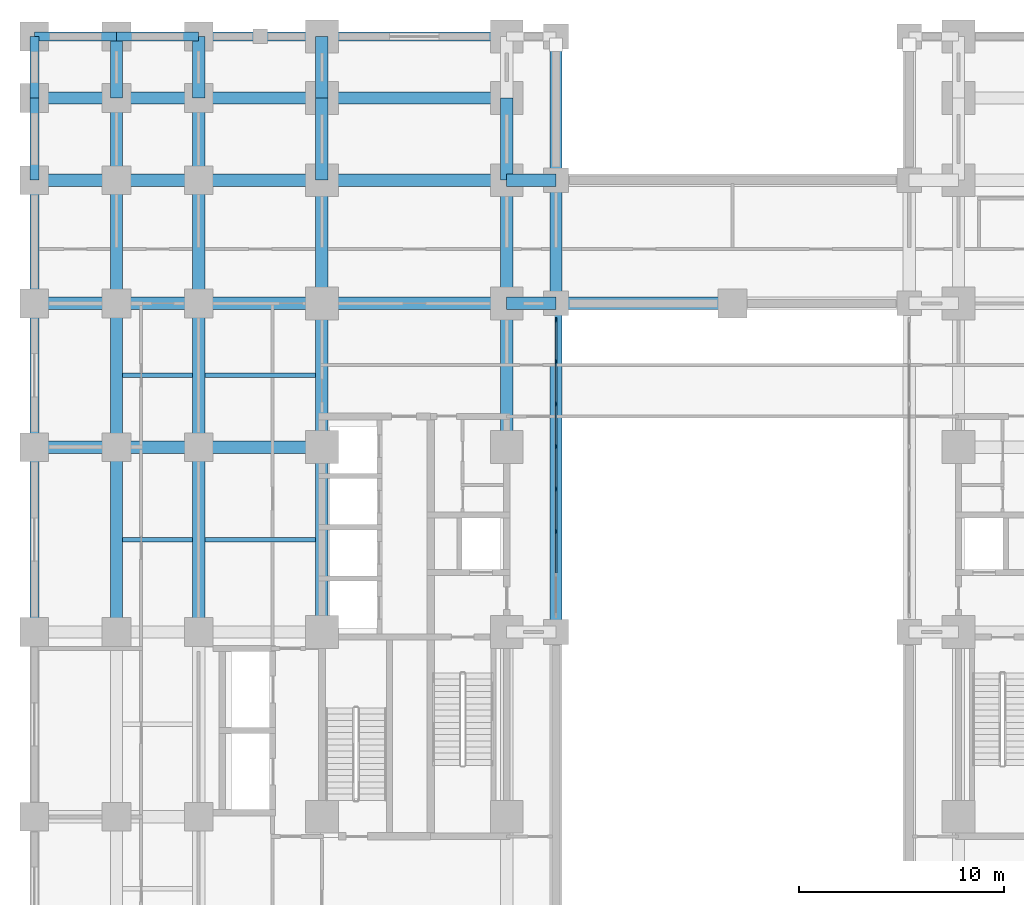
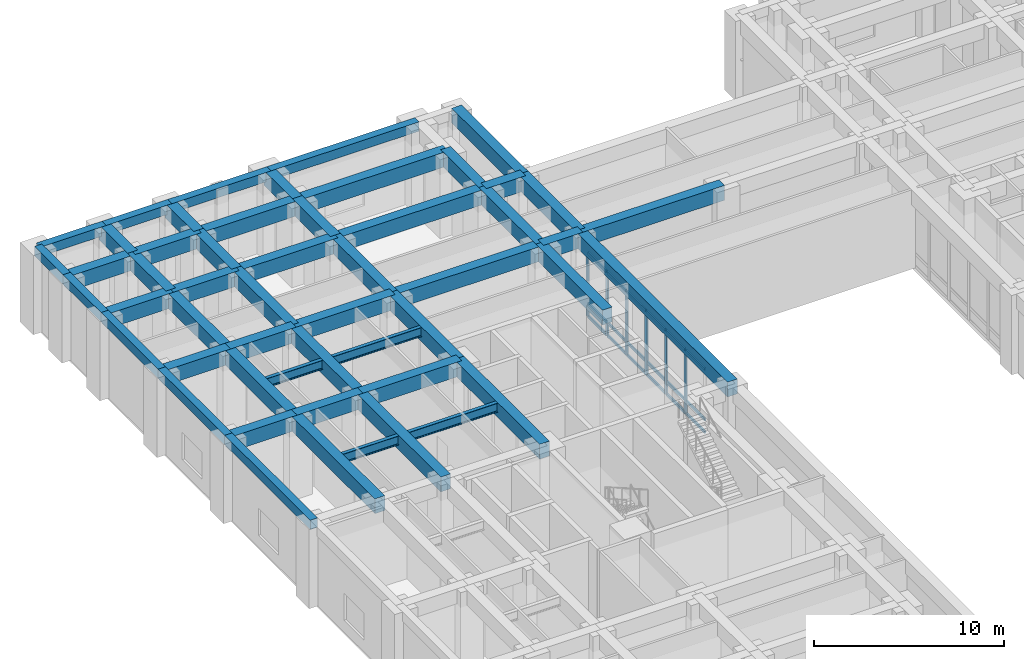
# One storey, part 4 of 21: 52 beams, 24 members, 1 element without a shape of its own.
"""IFC4 building model written with IfcOpenShell, lengths in metres."""

from ifc_helpers import new_model, si_unit, direction, frame, origin, origin_2d, place, context, subcontext, project, spatial, rectangle, i_section, extrude, material, material_profile, profile_set, type_object, element, aggregate, save


model = new_model("IFC4")

# Units and contexts
model_context = context("Model", 3, precision=1e-05, world=origin(), true_north=direction((0.0, 1.0)))
body_context = subcontext(model_context, "Body", "Model", "MODEL_VIEW")
ifc_project = project(units=[si_unit("LENGTHUNIT", "METRE"), si_unit("AREAUNIT", "SQUARE_METRE"), si_unit("VOLUMEUNIT", "CUBIC_METRE"), si_unit("PLANEANGLEUNIT", "RADIAN"), si_unit("MASSUNIT", "GRAM", prefix="KILO")], contexts=[model_context])

# Site, building, storey
site_placement = place(None, origin())
site = spatial("IfcSite", under=ifc_project, at=site_placement, CompositionType="ELEMENT")
building_placement = place(site_placement, origin())
building = spatial("IfcBuilding", under=site, at=building_placement, Name="Zulmaris Gate Convention Tower", CompositionType="ELEMENT")
storey_placement = place(building_placement, frame((0.0, 0.0, 5.43994140625)))
storey = spatial("IfcBuildingStorey", under=building, at=storey_placement, Name="L01", CompositionType="ELEMENT", Elevation=5.43994140625)

# Beams
ifc_material_1 = material(Name="Concrete C60/75", Category="concrete")
ifc_material_profile_1 = material_profile(ifc_material_1, rectangle(XDim=0.60009765625, YDim=0.949951171875, at=origin_2d()), Name="RC BEAM 600x950")
ifc_profile_set_1 = profile_set([ifc_material_profile_1], Name="Concrete C60/75")
beam_type_1 = type_object("IfcBeamType", Name="BM-RC600x950", PredefinedType="BEAM", material=ifc_profile_set_1)
for number, where, z_axis, x_axis, name in (
    (1, (-34.0, 9.0, 4.614990234375), (1.0, 0.0, 0.0), (0.0, 1.0, 0.0), "L01 Beam BM-L01-X-+9.0--34.0"),
    (2, (-30.0, 9.0, 4.614990234375), (1.0, 0.0, 0.0), (0.0, 1.0, 0.0), "L01 Beam BM-L01-X-+9.0--30.0"),
):
    element("IfcBeam", number, at=place(storey_placement, frame(where, z_axis=z_axis, x_axis=x_axis)), inside=storey, type_object=beam_type_1, Name=name, PredefinedType="BEAM", context=body_context, shape_type="SweptSolid", body=[
        extrude(rectangle(XDim=0.60009765625, YDim=0.949951171875, at=origin_2d()), origin(), (0.0, 0.0, 1.0), 4.0),
    ])
beam_1_placement = place(storey_placement, frame((-26.0, 9.0, 4.614990234375), z_axis=(1.0, 0.0, 0.0), x_axis=(0.0, 1.0, 0.0)))
element("IfcBeam", 3, at=beam_1_placement, inside=storey, type_object=beam_type_1, Name="L01 Beam BM-L01-X-+9.0--26.0", PredefinedType="BEAM", context=body_context, shape_type="SweptSolid", body=[
    extrude(rectangle(XDim=0.60009765625, YDim=0.949951171875, at=origin_2d()), origin(), (0.0, 0.0, 1.0), 6.0),
])
for number, where, z_axis, x_axis, name in (
    (4, (-34.0, 16.0, 4.614990234375), (1.0, 0.0, 0.0), (0.0, 1.0, 0.0), "L01 Beam BM-L01-X-+16.0--34.0"),
    (5, (-30.0, 16.0, 4.614990234375), (1.0, 0.0, 0.0), (0.0, 1.0, 0.0), "L01 Beam BM-L01-X-+16.0--30.0"),
):
    element("IfcBeam", number, at=place(storey_placement, frame(where, z_axis=z_axis, x_axis=x_axis)), inside=storey, type_object=beam_type_1, Name=name, PredefinedType="BEAM", context=body_context, shape_type="SweptSolid", body=[
        extrude(rectangle(XDim=0.60009765625, YDim=0.949951171875, at=origin_2d()), origin(), (0.0, 0.0, 1.0), 4.0),
    ])
beam_2_placement = place(storey_placement, frame((-26.0, 16.0, 4.614990234375), z_axis=(1.0, 0.0, 0.0), x_axis=(0.0, 1.0, 0.0)))
element("IfcBeam", 6, at=beam_2_placement, inside=storey, type_object=beam_type_1, Name="L01 Beam BM-L01-X-+16.0--26.0", PredefinedType="BEAM", context=body_context, shape_type="SweptSolid", body=[
    extrude(rectangle(XDim=0.60009765625, YDim=0.949951171875, at=origin_2d()), origin(), (0.0, 0.0, 1.0), 6.0),
])
beam_3_placement = place(storey_placement, frame((-20.0, 16.0, 4.614990234375), z_axis=(1.0, 0.0, 0.0), x_axis=(0.0, 1.0, 0.0)))
element("IfcBeam", 7, at=beam_3_placement, inside=storey, type_object=beam_type_1, Name="L01 Beam BM-L01-X-+16.0--20.0", PredefinedType="BEAM", context=body_context, shape_type="SweptSolid", body=[
    extrude(rectangle(XDim=0.60009765625, YDim=0.949951171875, at=origin_2d()), origin(), (0.0, 0.0, 1.0), 9.0),
])
beam_4_placement = place(storey_placement, frame((-11.0, 16.0, 4.614990234375), z_axis=(1.0, 0.0, 0.0), x_axis=(0.0, 1.0, 0.0)))
element("IfcBeam", 8, at=beam_4_placement, inside=storey, type_object=beam_type_1, Name="L01 Beam BM-L01-X-+16.0--11.0", PredefinedType="BEAM", context=body_context, shape_type="SweptSolid", body=[
    extrude(rectangle(XDim=0.60009765625, YDim=0.949951171875, at=origin_2d()), origin(), (0.0, 0.0, 1.0), 2.39990234375),
])
beam_5_placement = place(storey_placement, frame((-8.60009765625, 16.0, 4.614990234375), z_axis=(1.0, 0.0, 0.0), x_axis=(0.0, 1.0, 0.0)))
element("IfcBeam", 9, at=beam_5_placement, inside=storey, type_object=beam_type_1, Name="L01 Beam BM-L01-X-+16.0--8.6", PredefinedType="BEAM", context=body_context, shape_type="SweptSolid", body=[
    extrude(rectangle(XDim=0.60009765625, YDim=0.949951171875, at=origin_2d()), origin(), (0.0, 0.0, 1.0), 8.60009765625),
])
for number, where, z_axis, x_axis, name in (
    (10, (-34.0, 22.0, 4.614990234375), (1.0, 0.0, 0.0), (0.0, 1.0, 0.0), "L01 Beam BM-L01-X-+22.0--34.0"),
    (11, (-30.0, 22.0, 4.614990234375), (1.0, 0.0, 0.0), (0.0, 1.0, 0.0), "L01 Beam BM-L01-X-+22.0--30.0"),
):
    element("IfcBeam", number, at=place(storey_placement, frame(where, z_axis=z_axis, x_axis=x_axis)), inside=storey, type_object=beam_type_1, Name=name, PredefinedType="BEAM", context=body_context, shape_type="SweptSolid", body=[
        extrude(rectangle(XDim=0.60009765625, YDim=0.949951171875, at=origin_2d()), origin(), (0.0, 0.0, 1.0), 4.0),
    ])
beam_6_placement = place(storey_placement, frame((-26.0, 22.0, 4.614990234375), z_axis=(1.0, 0.0, 0.0), x_axis=(0.0, 1.0, 0.0)))
element("IfcBeam", 12, at=beam_6_placement, inside=storey, type_object=beam_type_1, Name="L01 Beam BM-L01-X-+22.0--26.0", PredefinedType="BEAM", context=body_context, shape_type="SweptSolid", body=[
    extrude(rectangle(XDim=0.60009765625, YDim=0.949951171875, at=origin_2d()), origin(), (0.0, 0.0, 1.0), 6.0),
])
beam_7_placement = place(storey_placement, frame((-20.0, 22.0, 4.614990234375), z_axis=(1.0, 0.0, 0.0), x_axis=(0.0, 1.0, 0.0)))
element("IfcBeam", 13, at=beam_7_placement, inside=storey, type_object=beam_type_1, Name="L01 Beam BM-L01-X-+22.0--20.0", PredefinedType="BEAM", context=body_context, shape_type="SweptSolid", body=[
    extrude(rectangle(XDim=0.60009765625, YDim=0.949951171875, at=origin_2d()), origin(), (0.0, 0.0, 1.0), 9.0),
])
beam_8_placement = place(storey_placement, frame((-11.0, 22.0, 4.614990234375), z_axis=(1.0, 0.0, 0.0), x_axis=(0.0, 1.0, 0.0)))
element("IfcBeam", 14, at=beam_8_placement, inside=storey, type_object=beam_type_1, Name="L01 Beam BM-L01-X-+22.0--11.0", PredefinedType="BEAM", context=body_context, shape_type="SweptSolid", body=[
    extrude(rectangle(XDim=0.60009765625, YDim=0.949951171875, at=origin_2d()), origin(), (0.0, 0.0, 1.0), 2.39990234375),
])
for number, where, z_axis, x_axis, name in (
    (15, (-34.0, 26.0, 4.614990234375), (1.0, 0.0, 0.0), (0.0, 1.0, 0.0), "L01 Beam BM-L01-X-+26.0--34.0"),
    (16, (-30.0, 26.0, 4.614990234375), (1.0, 0.0, 0.0), (0.0, 1.0, 0.0), "L01 Beam BM-L01-X-+26.0--30.0"),
):
    element("IfcBeam", number, at=place(storey_placement, frame(where, z_axis=z_axis, x_axis=x_axis)), inside=storey, type_object=beam_type_1, Name=name, PredefinedType="BEAM", context=body_context, shape_type="SweptSolid", body=[
        extrude(rectangle(XDim=0.60009765625, YDim=0.949951171875, at=origin_2d()), origin(), (0.0, 0.0, 1.0), 4.0),
    ])
beam_9_placement = place(storey_placement, frame((-26.0, 26.0, 4.614990234375), z_axis=(1.0, 0.0, 0.0), x_axis=(0.0, 1.0, 0.0)))
element("IfcBeam", 17, at=beam_9_placement, inside=storey, type_object=beam_type_1, Name="L01 Beam BM-L01-X-+26.0--26.0", PredefinedType="BEAM", context=body_context, shape_type="SweptSolid", body=[
    extrude(rectangle(XDim=0.60009765625, YDim=0.949951171875, at=origin_2d()), origin(), (0.0, 0.0, 1.0), 6.0),
])
for number, where, z_axis, x_axis, name in (
    (18, (-20.0, 26.0, 4.614990234375), (1.0, 0.0, 0.0), (0.0, 1.0, 0.0), "L01 Beam BM-L01-X-+26.0--20.0"),
    (19, (-30.0, 0.0, 4.614990234375), (0.0, 1.0, 0.0), (-1.0, 0.0, 0.0), "L01 Beam BM-L01-Y--30.0-+0.0"),
):
    element("IfcBeam", number, at=place(storey_placement, frame(where, z_axis=z_axis, x_axis=x_axis)), inside=storey, type_object=beam_type_1, Name=name, PredefinedType="BEAM", context=body_context, shape_type="SweptSolid", body=[
        extrude(rectangle(XDim=0.60009765625, YDim=0.949951171875, at=origin_2d()), origin(), (0.0, 0.0, 1.0), 9.0),
    ])
beam_10_placement = place(storey_placement, frame((-30.0, 9.0, 4.614990234375), z_axis=(0.0, 1.0, 0.0), x_axis=(-1.0, 0.0, 0.0)))
element("IfcBeam", 20, at=beam_10_placement, inside=storey, type_object=beam_type_1, Name="L01 Beam BM-L01-Y--30.0-+9.0", PredefinedType="BEAM", context=body_context, shape_type="SweptSolid", body=[
    extrude(rectangle(XDim=0.60009765625, YDim=0.949951171875, at=origin_2d()), origin(), (0.0, 0.0, 1.0), 7.0),
])
beam_11_placement = place(storey_placement, frame((-30.0, 16.0, 4.614990234375), z_axis=(0.0, 1.0, 0.0), x_axis=(-1.0, 0.0, 0.0)))
element("IfcBeam", 21, at=beam_11_placement, inside=storey, type_object=beam_type_1, Name="L01 Beam BM-L01-Y--30.0-+16.0", PredefinedType="BEAM", context=body_context, shape_type="SweptSolid", body=[
    extrude(rectangle(XDim=0.60009765625, YDim=0.949951171875, at=origin_2d()), origin(), (0.0, 0.0, 1.0), 6.0),
])
beam_12_placement = place(storey_placement, frame((-30.0, 22.0, 4.614990234375), z_axis=(0.0, 1.0, 0.0), x_axis=(-1.0, 0.0, 0.0)))
element("IfcBeam", 22, at=beam_12_placement, inside=storey, type_object=beam_type_1, Name="L01 Beam BM-L01-Y--30.0-+22.0", PredefinedType="BEAM", context=body_context, shape_type="SweptSolid", body=[
    extrude(rectangle(XDim=0.60009765625, YDim=0.949951171875, at=origin_2d()), origin(), (0.0, 0.0, 1.0), 4.0),
])
beam_13_placement = place(storey_placement, frame((-30.0, 26.0, 4.614990234375), z_axis=(0.0, 1.0, 0.0), x_axis=(-1.0, 0.0, 0.0)))
element("IfcBeam", 23, at=beam_13_placement, inside=storey, type_object=beam_type_1, Name="L01 Beam BM-L01-Y--30.0-+26.0", PredefinedType="BEAM", context=body_context, shape_type="SweptSolid", body=[
    extrude(rectangle(XDim=0.60009765625, YDim=0.949951171875, at=origin_2d()), origin(), (0.0, 0.0, 1.0), 3.0),
])
beam_14_placement = place(storey_placement, frame((-26.0, 0.0, 4.614990234375), z_axis=(0.0, 1.0, 0.0), x_axis=(-1.0, 0.0, 0.0)))
element("IfcBeam", 24, at=beam_14_placement, inside=storey, type_object=beam_type_1, Name="L01 Beam BM-L01-Y--26.0-+0.0", PredefinedType="BEAM", context=body_context, shape_type="SweptSolid", body=[
    extrude(rectangle(XDim=0.60009765625, YDim=0.949951171875, at=origin_2d()), origin(), (0.0, 0.0, 1.0), 9.0),
])
beam_15_placement = place(storey_placement, frame((-26.0, 9.0, 4.614990234375), z_axis=(0.0, 1.0, 0.0), x_axis=(-1.0, 0.0, 0.0)))
element("IfcBeam", 25, at=beam_15_placement, inside=storey, type_object=beam_type_1, Name="L01 Beam BM-L01-Y--26.0-+9.0", PredefinedType="BEAM", context=body_context, shape_type="SweptSolid", body=[
    extrude(rectangle(XDim=0.60009765625, YDim=0.949951171875, at=origin_2d()), origin(), (0.0, 0.0, 1.0), 7.0),
])
beam_16_placement = place(storey_placement, frame((-26.0, 16.0, 4.614990234375), z_axis=(0.0, 1.0, 0.0), x_axis=(-1.0, 0.0, 0.0)))
element("IfcBeam", 26, at=beam_16_placement, inside=storey, type_object=beam_type_1, Name="L01 Beam BM-L01-Y--26.0-+16.0", PredefinedType="BEAM", context=body_context, shape_type="SweptSolid", body=[
    extrude(rectangle(XDim=0.60009765625, YDim=0.949951171875, at=origin_2d()), origin(), (0.0, 0.0, 1.0), 6.0),
])
beam_17_placement = place(storey_placement, frame((-26.0, 22.0, 4.614990234375), z_axis=(0.0, 1.0, 0.0), x_axis=(-1.0, 0.0, 0.0)))
element("IfcBeam", 27, at=beam_17_placement, inside=storey, type_object=beam_type_1, Name="L01 Beam BM-L01-Y--26.0-+22.0", PredefinedType="BEAM", context=body_context, shape_type="SweptSolid", body=[
    extrude(rectangle(XDim=0.60009765625, YDim=0.949951171875, at=origin_2d()), origin(), (0.0, 0.0, 1.0), 4.0),
])
beam_18_placement = place(storey_placement, frame((-26.0, 26.0, 4.614990234375), z_axis=(0.0, 1.0, 0.0), x_axis=(-1.0, 0.0, 0.0)))
element("IfcBeam", 28, at=beam_18_placement, inside=storey, type_object=beam_type_1, Name="L01 Beam BM-L01-Y--26.0-+26.0", PredefinedType="BEAM", context=body_context, shape_type="SweptSolid", body=[
    extrude(rectangle(XDim=0.60009765625, YDim=0.949951171875, at=origin_2d()), origin(), (0.0, 0.0, 1.0), 3.0),
])
beam_19_placement = place(storey_placement, frame((-20.0, 0.0, 4.614990234375), z_axis=(0.0, 1.0, 0.0), x_axis=(-1.0, 0.0, 0.0)))
element("IfcBeam", 29, at=beam_19_placement, inside=storey, type_object=beam_type_1, Name="L01 Beam BM-L01-Y--20.0-+0.0", PredefinedType="BEAM", context=body_context, shape_type="SweptSolid", body=[
    extrude(rectangle(XDim=0.60009765625, YDim=0.949951171875, at=origin_2d()), origin(), (0.0, 0.0, 1.0), 9.0),
])
beam_20_placement = place(storey_placement, frame((-20.0, 9.0, 4.614990234375), z_axis=(0.0, 1.0, 0.0), x_axis=(-1.0, 0.0, 0.0)))
element("IfcBeam", 30, at=beam_20_placement, inside=storey, type_object=beam_type_1, Name="L01 Beam BM-L01-Y--20.0-+9.0", PredefinedType="BEAM", context=body_context, shape_type="SweptSolid", body=[
    extrude(rectangle(XDim=0.60009765625, YDim=0.949951171875, at=origin_2d()), origin(), (0.0, 0.0, 1.0), 7.0),
])
beam_21_placement = place(storey_placement, frame((-20.0, 16.0, 4.614990234375), z_axis=(0.0, 1.0, 0.0), x_axis=(-1.0, 0.0, 0.0)))
element("IfcBeam", 31, at=beam_21_placement, inside=storey, type_object=beam_type_1, Name="L01 Beam BM-L01-Y--20.0-+16.0", PredefinedType="BEAM", context=body_context, shape_type="SweptSolid", body=[
    extrude(rectangle(XDim=0.60009765625, YDim=0.949951171875, at=origin_2d()), origin(), (0.0, 0.0, 1.0), 6.0),
])
beam_22_placement = place(storey_placement, frame((-20.0, 22.0, 4.614990234375), z_axis=(0.0, 1.0, 0.0), x_axis=(-1.0, 0.0, 0.0)))
element("IfcBeam", 32, at=beam_22_placement, inside=storey, type_object=beam_type_1, Name="L01 Beam BM-L01-Y--20.0-+22.0", PredefinedType="BEAM", context=body_context, shape_type="SweptSolid", body=[
    extrude(rectangle(XDim=0.60009765625, YDim=0.949951171875, at=origin_2d()), origin(), (0.0, 0.0, 1.0), 4.0),
])
beam_23_placement = place(storey_placement, frame((-20.0, 26.0, 4.614990234375), z_axis=(0.0, 1.0, 0.0), x_axis=(-1.0, 0.0, 0.0)))
element("IfcBeam", 33, at=beam_23_placement, inside=storey, type_object=beam_type_1, Name="L01 Beam BM-L01-Y--20.0-+26.0", PredefinedType="BEAM", context=body_context, shape_type="SweptSolid", body=[
    extrude(rectangle(XDim=0.60009765625, YDim=0.949951171875, at=origin_2d()), origin(), (0.0, 0.0, 1.0), 3.0),
])
beam_24_placement = place(storey_placement, frame((-11.0, 9.0, 4.614990234375), z_axis=(0.0, 1.0, 0.0), x_axis=(-1.0, 0.0, 0.0)))
element("IfcBeam", 34, at=beam_24_placement, inside=storey, type_object=beam_type_1, Name="L01 Beam BM-L01-Y--11.0-+9.0", PredefinedType="BEAM", context=body_context, shape_type="SweptSolid", body=[
    extrude(rectangle(XDim=0.60009765625, YDim=0.949951171875, at=origin_2d()), origin(), (0.0, 0.0, 1.0), 7.0),
])
beam_25_placement = place(storey_placement, frame((-11.0, 16.0, 4.614990234375), z_axis=(0.0, 1.0, 0.0), x_axis=(-1.0, 0.0, 0.0)))
element("IfcBeam", 35, at=beam_25_placement, inside=storey, type_object=beam_type_1, Name="L01 Beam BM-L01-Y--11.0-+16.0", PredefinedType="BEAM", context=body_context, shape_type="SweptSolid", body=[
    extrude(rectangle(XDim=0.60009765625, YDim=0.949951171875, at=origin_2d()), origin(), (0.0, 0.0, 1.0), 6.0),
])
beam_26_placement = place(storey_placement, frame((-11.0, 22.0, 4.614990234375), z_axis=(0.0, 1.0, 0.0), x_axis=(-1.0, 0.0, 0.0)))
element("IfcBeam", 36, at=beam_26_placement, inside=storey, type_object=beam_type_1, Name="L01 Beam BM-L01-Y--11.0-+22.0", PredefinedType="BEAM", context=body_context, shape_type="SweptSolid", body=[
    extrude(rectangle(XDim=0.60009765625, YDim=0.949951171875, at=origin_2d()), origin(), (0.0, 0.0, 1.0), 4.0),
])
beam_27_placement = place(storey_placement, frame((-8.60009765625, 0.0, 4.614990234375), z_axis=(0.0, 1.0, 0.0), x_axis=(-1.0, 0.0, 0.0)))
element("IfcBeam", 37, at=beam_27_placement, inside=storey, type_object=beam_type_1, Name="L01 Beam BM-L01-Y--8.6-+0.0", PredefinedType="BEAM", context=body_context, shape_type="SweptSolid", body=[
    extrude(rectangle(XDim=0.60009765625, YDim=0.949951171875, at=origin_2d()), origin(), (0.0, 0.0, 1.0), 16.0),
])
beam_28_placement = place(storey_placement, frame((-8.60009765625, 16.0, 4.614990234375), z_axis=(0.0, 1.0, 0.0), x_axis=(-1.0, 0.0, 0.0)))
element("IfcBeam", 38, at=beam_28_placement, inside=storey, type_object=beam_type_1, Name="L01 Beam BM-L01-Y--8.6-+16.0", PredefinedType="BEAM", context=body_context, shape_type="SweptSolid", body=[
    extrude(rectangle(XDim=0.60009765625, YDim=0.949951171875, at=origin_2d()), origin(), (0.0, 0.0, 1.0), 6.0),
])
beam_29_placement = place(storey_placement, frame((-8.60009765625, 22.0, 4.614990234375), z_axis=(0.0, 1.0, 0.0), x_axis=(-1.0, 0.0, 0.0)))
element("IfcBeam", 39, at=beam_29_placement, inside=storey, type_object=beam_type_1, Name="L01 Beam BM-L01-Y--8.6-+22.0", PredefinedType="BEAM", context=body_context, shape_type="SweptSolid", body=[
    extrude(rectangle(XDim=0.60009765625, YDim=0.949951171875, at=origin_2d()), origin(), (0.0, 0.0, 1.0), 7.0),
])
ifc_material_2 = material(Name="Precast concrete C50/60", Category="concrete")
ifc_material_profile_2 = material_profile(ifc_material_2, rectangle(XDim=0.449951171875, YDim=0.60009765625, at=origin_2d()), Name="RC SPANDREL 450x600")
ifc_profile_set_2 = profile_set([ifc_material_profile_2], Name="Precast concrete C50/60")
beam_type_2 = type_object("IfcBeamType", Name="BM-SP450x600", PredefinedType="SPANDREL", material=ifc_profile_set_2)
for number, where, z_axis, x_axis, name in (
    (40, (-34.0, 29.0, 4.7900390625), (1.0, 0.0, 0.0), (0.0, 1.0, 0.0), "L01 Spandrel BM-L01-X-+29.0--34.0"),
    (41, (-30.0, 29.0, 4.7900390625), (1.0, 0.0, 0.0), (0.0, 1.0, 0.0), "L01 Spandrel BM-L01-X-+29.0--30.0"),
):
    element("IfcBeam", number, at=place(storey_placement, frame(where, z_axis=z_axis, x_axis=x_axis)), inside=storey, type_object=beam_type_2, Name=name, PredefinedType="SPANDREL", context=body_context, shape_type="SweptSolid", body=[
        extrude(rectangle(XDim=0.449951171875, YDim=0.60009765625, at=origin_2d()), origin(), (0.0, 0.0, 1.0), 4.0),
    ])
beam_30_placement = place(storey_placement, frame((-26.0, 29.0, 4.7900390625), z_axis=(1.0, 0.0, 0.0), x_axis=(0.0, 1.0, 0.0)))
element("IfcBeam", 42, at=beam_30_placement, inside=storey, type_object=beam_type_2, Name="L01 Spandrel BM-L01-X-+29.0--26.0", PredefinedType="SPANDREL", context=body_context, shape_type="SweptSolid", body=[
    extrude(rectangle(XDim=0.449951171875, YDim=0.60009765625, at=origin_2d()), origin(), (0.0, 0.0, 1.0), 6.0),
])
for number, where, z_axis, x_axis, name in (
    (43, (-20.0, 29.0, 4.7900390625), (1.0, 0.0, 0.0), (0.0, 1.0, 0.0), "L01 Spandrel BM-L01-X-+29.0--20.0"),
    (44, (-34.0, 0.0, 4.7900390625), (0.0, 1.0, 0.0), (-1.0, 0.0, 0.0), "L01 Spandrel BM-L01-Y--34.0-+0.0"),
):
    element("IfcBeam", number, at=place(storey_placement, frame(where, z_axis=z_axis, x_axis=x_axis)), inside=storey, type_object=beam_type_2, Name=name, PredefinedType="SPANDREL", context=body_context, shape_type="SweptSolid", body=[
        extrude(rectangle(XDim=0.449951171875, YDim=0.60009765625, at=origin_2d()), origin(), (0.0, 0.0, 1.0), 9.0),
    ])
beam_31_placement = place(storey_placement, frame((-34.0, 9.0, 4.7900390625), z_axis=(0.0, 1.0, 0.0), x_axis=(-1.0, 0.0, 0.0)))
element("IfcBeam", 45, at=beam_31_placement, inside=storey, type_object=beam_type_2, Name="L01 Spandrel BM-L01-Y--34.0-+9.0", PredefinedType="SPANDREL", context=body_context, shape_type="SweptSolid", body=[
    extrude(rectangle(XDim=0.449951171875, YDim=0.60009765625, at=origin_2d()), origin(), (0.0, 0.0, 1.0), 7.0),
])
beam_32_placement = place(storey_placement, frame((-34.0, 16.0, 4.7900390625), z_axis=(0.0, 1.0, 0.0), x_axis=(-1.0, 0.0, 0.0)))
element("IfcBeam", 46, at=beam_32_placement, inside=storey, type_object=beam_type_2, Name="L01 Spandrel BM-L01-Y--34.0-+16.0", PredefinedType="SPANDREL", context=body_context, shape_type="SweptSolid", body=[
    extrude(rectangle(XDim=0.449951171875, YDim=0.60009765625, at=origin_2d()), origin(), (0.0, 0.0, 1.0), 6.0),
])
beam_33_placement = place(storey_placement, frame((-34.0, 22.0, 4.7900390625), z_axis=(0.0, 1.0, 0.0), x_axis=(-1.0, 0.0, 0.0)))
element("IfcBeam", 47, at=beam_33_placement, inside=storey, type_object=beam_type_2, Name="L01 Spandrel BM-L01-Y--34.0-+22.0", PredefinedType="SPANDREL", context=body_context, shape_type="SweptSolid", body=[
    extrude(rectangle(XDim=0.449951171875, YDim=0.60009765625, at=origin_2d()), origin(), (0.0, 0.0, 1.0), 4.0),
])
beam_34_placement = place(storey_placement, frame((-34.0, 26.0, 4.7900390625), z_axis=(0.0, 1.0, 0.0), x_axis=(-1.0, 0.0, 0.0)))
element("IfcBeam", 48, at=beam_34_placement, inside=storey, type_object=beam_type_2, Name="L01 Spandrel BM-L01-Y--34.0-+26.0", PredefinedType="SPANDREL", context=body_context, shape_type="SweptSolid", body=[
    extrude(rectangle(XDim=0.449951171875, YDim=0.60009765625, at=origin_2d()), origin(), (0.0, 0.0, 1.0), 3.0),
])

# Curtain wall, members
ifc_material_3 = material(Name="Anodised Aluminium", Category="aluminium")
curtain_wall_type = type_object("IfcCurtainWallType", Name="CW-02", PredefinedType="NOTDEFINED", material=ifc_material_3)
curtain_wall_placement = place(storey_placement, origin())
curtain_wall = element("IfcCurtainWall", 49, at=curtain_wall_placement, inside=storey, type_object=curtain_wall_type, Name="CW-02 CW02-L01-WL_0", PredefinedType="NOTDEFINED")
ifc_material_profile_3 = material_profile(ifc_material_3, rectangle(XDim=0.090087890625, YDim=0.219970703125, at=origin_2d()), Name="ALU MULLION 90x220")
ifc_profile_set_3 = profile_set([ifc_material_profile_3], Name="Anodised Aluminium")
member_type_1 = type_object("IfcMemberType", Name="CW-02-MULL", PredefinedType="MULLION", material=ifc_profile_set_3)
member_1_placement = place(storey_placement, frame((-8.60009765625, 4.897216796875, 0.0), z_axis=(0.0, 0.0, 1.0), x_axis=(-1.0, 0.0, 0.0)))
member_1 = element("IfcMember", 50, at=member_1_placement, type_object=member_type_1, Name="CW-02 mullion 3", PredefinedType="MULLION", context=body_context, shape_type="SweptSolid", body=[
    extrude(rectangle(XDim=0.090087890625, YDim=0.219970703125, at=origin_2d()), origin(), (0.0, 0.0, 1.0), 4.132080078125),
])
member_2_placement = place(storey_placement, frame((-8.60009765625, 6.9658203125, 0.0), z_axis=(0.0, 0.0, 1.0), x_axis=(-1.0, 0.0, 0.0)))
member_2 = element("IfcMember", 51, at=member_2_placement, type_object=member_type_1, Name="CW-02 mullion 4", PredefinedType="MULLION", context=body_context, shape_type="SweptSolid", body=[
    extrude(rectangle(XDim=0.090087890625, YDim=0.219970703125, at=origin_2d()), origin(), (0.0, 0.0, 1.0), 4.132080078125),
])
member_3_placement = place(storey_placement, frame((-8.60009765625, 9.0341796875, 0.0), z_axis=(0.0, 0.0, 1.0), x_axis=(-1.0, 0.0, 0.0)))
member_3 = element("IfcMember", 52, at=member_3_placement, type_object=member_type_1, Name="CW-02 mullion 5", PredefinedType="MULLION", context=body_context, shape_type="SweptSolid", body=[
    extrude(rectangle(XDim=0.090087890625, YDim=0.219970703125, at=origin_2d()), origin(), (0.0, 0.0, 1.0), 4.132080078125),
])
member_4_placement = place(storey_placement, frame((-8.60009765625, 11.102783203125, 0.0), z_axis=(0.0, 0.0, 1.0), x_axis=(-1.0, 0.0, 0.0)))
member_4 = element("IfcMember", 53, at=member_4_placement, type_object=member_type_1, Name="CW-02 mullion 6", PredefinedType="MULLION", context=body_context, shape_type="SweptSolid", body=[
    extrude(rectangle(XDim=0.090087890625, YDim=0.219970703125, at=origin_2d()), origin(), (0.0, 0.0, 1.0), 4.132080078125),
])
member_5_placement = place(storey_placement, frame((-8.60009765625, 13.17138671875, 0.0), z_axis=(0.0, 0.0, 1.0), x_axis=(-1.0, 0.0, 0.0)))
member_5 = element("IfcMember", 54, at=member_5_placement, type_object=member_type_1, Name="CW-02 mullion 7", PredefinedType="MULLION", context=body_context, shape_type="SweptSolid", body=[
    extrude(rectangle(XDim=0.090087890625, YDim=0.219970703125, at=origin_2d()), origin(), (0.0, 0.0, 1.0), 4.132080078125),
])
member_6_placement = place(storey_placement, frame((-8.60009765625, 15.195068359375, 0.0), z_axis=(0.0, 0.0, 1.0), x_axis=(-1.0, 0.0, 0.0)))
member_6 = element("IfcMember", 55, at=member_6_placement, type_object=member_type_1, Name="CW-02 mullion 8", PredefinedType="MULLION", context=body_context, shape_type="SweptSolid", body=[
    extrude(rectangle(XDim=0.090087890625, YDim=0.219970703125, at=origin_2d()), origin(), (0.0, 0.0, 1.0), 4.132080078125),
])
ifc_material_profile_4 = material_profile(ifc_material_3, rectangle(XDim=0.090087890625, YDim=0.179931640625, at=origin_2d()), Name="ALU TRANSOM 90x180")
ifc_profile_set_4 = profile_set([ifc_material_profile_4], Name="Anodised Aluminium")
member_type_2 = type_object("IfcMemberType", Name="CW-02-TRAN", PredefinedType="USERDEFINED", material=ifc_profile_set_4)
member_7_placement = place(storey_placement, frame((-8.60009765625, 2.87353515625, 0.044921875), z_axis=(0.0, 1.0, 0.0), x_axis=(-1.0, 0.0, 0.0)))
member_7 = element("IfcMember", 56, at=member_7_placement, type_object=member_type_2, Name="CW-02 transom 2.1", ObjectType="TRANSOM", PredefinedType="USERDEFINED", context=body_context, shape_type="SweptSolid", body=[
    extrude(rectangle(XDim=0.090087890625, YDim=0.179931640625, at=origin_2d()), origin(), (0.0, 0.0, 1.0), 1.978515625),
])
member_8_placement = place(storey_placement, frame((-8.60009765625, 2.87353515625, 0.849853515625), z_axis=(0.0, 1.0, 0.0), x_axis=(-1.0, 0.0, 0.0)))
member_8 = element("IfcMember", 57, at=member_8_placement, type_object=member_type_2, Name="CW-02 transom 2.2", ObjectType="TRANSOM", PredefinedType="USERDEFINED", context=body_context, shape_type="SweptSolid", body=[
    extrude(rectangle(XDim=0.090087890625, YDim=0.179931640625, at=origin_2d()), origin(), (0.0, 0.0, 1.0), 1.978515625),
])
member_9_placement = place(storey_placement, frame((-8.60009765625, 2.87353515625, 4.0869140625), z_axis=(0.0, 1.0, 0.0), x_axis=(-1.0, 0.0, 0.0)))
member_9 = element("IfcMember", 58, at=member_9_placement, type_object=member_type_2, Name="CW-02 transom 2.3", ObjectType="TRANSOM", PredefinedType="USERDEFINED", context=body_context, shape_type="SweptSolid", body=[
    extrude(rectangle(XDim=0.090087890625, YDim=0.179931640625, at=origin_2d()), origin(), (0.0, 0.0, 1.0), 1.978515625),
])
member_10_placement = place(storey_placement, frame((-8.60009765625, 4.942138671875, 0.044921875), z_axis=(0.0, 1.0, 0.0), x_axis=(-1.0, 0.0, 0.0)))
member_10 = element("IfcMember", 59, at=member_10_placement, type_object=member_type_2, Name="CW-02 transom 3.1", ObjectType="TRANSOM", PredefinedType="USERDEFINED", context=body_context, shape_type="SweptSolid", body=[
    extrude(rectangle(XDim=0.090087890625, YDim=0.179931640625, at=origin_2d()), origin(), (0.0, 0.0, 1.0), 1.978515625),
])
member_11_placement = place(storey_placement, frame((-8.60009765625, 4.942138671875, 0.849853515625), z_axis=(0.0, 1.0, 0.0), x_axis=(-1.0, 0.0, 0.0)))
member_11 = element("IfcMember", 60, at=member_11_placement, type_object=member_type_2, Name="CW-02 transom 3.2", ObjectType="TRANSOM", PredefinedType="USERDEFINED", context=body_context, shape_type="SweptSolid", body=[
    extrude(rectangle(XDim=0.090087890625, YDim=0.179931640625, at=origin_2d()), origin(), (0.0, 0.0, 1.0), 1.978515625),
])
member_12_placement = place(storey_placement, frame((-8.60009765625, 4.942138671875, 4.0869140625), z_axis=(0.0, 1.0, 0.0), x_axis=(-1.0, 0.0, 0.0)))
member_12 = element("IfcMember", 61, at=member_12_placement, type_object=member_type_2, Name="CW-02 transom 3.3", ObjectType="TRANSOM", PredefinedType="USERDEFINED", context=body_context, shape_type="SweptSolid", body=[
    extrude(rectangle(XDim=0.090087890625, YDim=0.179931640625, at=origin_2d()), origin(), (0.0, 0.0, 1.0), 1.978515625),
])
member_13_placement = place(storey_placement, frame((-8.60009765625, 7.0107421875, 0.044921875), z_axis=(0.0, 1.0, 0.0), x_axis=(-1.0, 0.0, 0.0)))
member_13 = element("IfcMember", 62, at=member_13_placement, type_object=member_type_2, Name="CW-02 transom 4.1", ObjectType="TRANSOM", PredefinedType="USERDEFINED", context=body_context, shape_type="SweptSolid", body=[
    extrude(rectangle(XDim=0.090087890625, YDim=0.179931640625, at=origin_2d()), origin(), (0.0, 0.0, 1.0), 1.978515625),
])
member_14_placement = place(storey_placement, frame((-8.60009765625, 7.0107421875, 0.849853515625), z_axis=(0.0, 1.0, 0.0), x_axis=(-1.0, 0.0, 0.0)))
member_14 = element("IfcMember", 63, at=member_14_placement, type_object=member_type_2, Name="CW-02 transom 4.2", ObjectType="TRANSOM", PredefinedType="USERDEFINED", context=body_context, shape_type="SweptSolid", body=[
    extrude(rectangle(XDim=0.090087890625, YDim=0.179931640625, at=origin_2d()), origin(), (0.0, 0.0, 1.0), 1.978515625),
])
member_15_placement = place(storey_placement, frame((-8.60009765625, 7.0107421875, 4.0869140625), z_axis=(0.0, 1.0, 0.0), x_axis=(-1.0, 0.0, 0.0)))
member_15 = element("IfcMember", 64, at=member_15_placement, type_object=member_type_2, Name="CW-02 transom 4.3", ObjectType="TRANSOM", PredefinedType="USERDEFINED", context=body_context, shape_type="SweptSolid", body=[
    extrude(rectangle(XDim=0.090087890625, YDim=0.179931640625, at=origin_2d()), origin(), (0.0, 0.0, 1.0), 1.978515625),
])
member_16_placement = place(storey_placement, frame((-8.60009765625, 9.079345703125, 0.044921875), z_axis=(0.0, 1.0, 0.0), x_axis=(-1.0, 0.0, 0.0)))
member_16 = element("IfcMember", 65, at=member_16_placement, type_object=member_type_2, Name="CW-02 transom 5.1", ObjectType="TRANSOM", PredefinedType="USERDEFINED", context=body_context, shape_type="SweptSolid", body=[
    extrude(rectangle(XDim=0.090087890625, YDim=0.179931640625, at=origin_2d()), origin(), (0.0, 0.0, 1.0), 1.978515625),
])
member_17_placement = place(storey_placement, frame((-8.60009765625, 9.079345703125, 0.849853515625), z_axis=(0.0, 1.0, 0.0), x_axis=(-1.0, 0.0, 0.0)))
member_17 = element("IfcMember", 66, at=member_17_placement, type_object=member_type_2, Name="CW-02 transom 5.2", ObjectType="TRANSOM", PredefinedType="USERDEFINED", context=body_context, shape_type="SweptSolid", body=[
    extrude(rectangle(XDim=0.090087890625, YDim=0.179931640625, at=origin_2d()), origin(), (0.0, 0.0, 1.0), 1.978515625),
])
member_18_placement = place(storey_placement, frame((-8.60009765625, 9.079345703125, 4.0869140625), z_axis=(0.0, 1.0, 0.0), x_axis=(-1.0, 0.0, 0.0)))
member_18 = element("IfcMember", 67, at=member_18_placement, type_object=member_type_2, Name="CW-02 transom 5.3", ObjectType="TRANSOM", PredefinedType="USERDEFINED", context=body_context, shape_type="SweptSolid", body=[
    extrude(rectangle(XDim=0.090087890625, YDim=0.179931640625, at=origin_2d()), origin(), (0.0, 0.0, 1.0), 1.978515625),
])
member_19_placement = place(storey_placement, frame((-8.60009765625, 11.14794921875, 0.044921875), z_axis=(0.0, 1.0, 0.0), x_axis=(-1.0, 0.0, 0.0)))
member_19 = element("IfcMember", 68, at=member_19_placement, type_object=member_type_2, Name="CW-02 transom 6.1", ObjectType="TRANSOM", PredefinedType="USERDEFINED", context=body_context, shape_type="SweptSolid", body=[
    extrude(rectangle(XDim=0.090087890625, YDim=0.179931640625, at=origin_2d()), origin(), (0.0, 0.0, 1.0), 1.978515625),
])
member_20_placement = place(storey_placement, frame((-8.60009765625, 11.14794921875, 0.849853515625), z_axis=(0.0, 1.0, 0.0), x_axis=(-1.0, 0.0, 0.0)))
member_20 = element("IfcMember", 69, at=member_20_placement, type_object=member_type_2, Name="CW-02 transom 6.2", ObjectType="TRANSOM", PredefinedType="USERDEFINED", context=body_context, shape_type="SweptSolid", body=[
    extrude(rectangle(XDim=0.090087890625, YDim=0.179931640625, at=origin_2d()), origin(), (0.0, 0.0, 1.0), 1.978515625),
])
member_21_placement = place(storey_placement, frame((-8.60009765625, 11.14794921875, 4.0869140625), z_axis=(0.0, 1.0, 0.0), x_axis=(-1.0, 0.0, 0.0)))
member_21 = element("IfcMember", 70, at=member_21_placement, type_object=member_type_2, Name="CW-02 transom 6.3", ObjectType="TRANSOM", PredefinedType="USERDEFINED", context=body_context, shape_type="SweptSolid", body=[
    extrude(rectangle(XDim=0.090087890625, YDim=0.179931640625, at=origin_2d()), origin(), (0.0, 0.0, 1.0), 1.978515625),
])
member_22_placement = place(storey_placement, frame((-8.60009765625, 13.21630859375, 0.044921875), z_axis=(0.0, 1.0, 0.0), x_axis=(-1.0, 0.0, 0.0)))
member_22 = element("IfcMember", 71, at=member_22_placement, type_object=member_type_2, Name="CW-02 transom 7.1", ObjectType="TRANSOM", PredefinedType="USERDEFINED", context=body_context, shape_type="SweptSolid", body=[
    extrude(rectangle(XDim=0.090087890625, YDim=0.179931640625, at=origin_2d()), origin(), (0.0, 0.0, 1.0), 1.93359375),
])
member_23_placement = place(storey_placement, frame((-8.60009765625, 13.21630859375, 0.849853515625), z_axis=(0.0, 1.0, 0.0), x_axis=(-1.0, 0.0, 0.0)))
member_23 = element("IfcMember", 72, at=member_23_placement, type_object=member_type_2, Name="CW-02 transom 7.2", ObjectType="TRANSOM", PredefinedType="USERDEFINED", context=body_context, shape_type="SweptSolid", body=[
    extrude(rectangle(XDim=0.090087890625, YDim=0.179931640625, at=origin_2d()), origin(), (0.0, 0.0, 1.0), 1.93359375),
])
member_24_placement = place(storey_placement, frame((-8.60009765625, 13.21630859375, 4.0869140625), z_axis=(0.0, 1.0, 0.0), x_axis=(-1.0, 0.0, 0.0)))
member_24 = element("IfcMember", 73, at=member_24_placement, type_object=member_type_2, Name="CW-02 transom 7.3", ObjectType="TRANSOM", PredefinedType="USERDEFINED", context=body_context, shape_type="SweptSolid", body=[
    extrude(rectangle(XDim=0.090087890625, YDim=0.179931640625, at=origin_2d()), origin(), (0.0, 0.0, 1.0), 1.93359375),
])
aggregate(curtain_wall, [member_1, member_2, member_3, member_4, member_5, member_6, member_7, member_8, member_9, member_10, member_11, member_12, member_13, member_14, member_15, member_16, member_17, member_18, member_19, member_20, member_21, member_22, member_23, member_24])

# Beams
ifc_material_4 = material(Name="Steel S355", Category="steel")
ifc_material_profile_5 = material_profile(ifc_material_4, i_section(OverallWidth=0.219970703125, OverallDepth=0.60009765625, WebThickness=0.011962890625, FlangeThickness=0.01904296875, FilletRadius=0.02392578125, at=origin_2d()), Name="IPE 600")
ifc_profile_set_5 = profile_set([ifc_material_profile_5], Name="Steel S355")
beam_type_3 = type_object("IfcBeamType", Name="JT-IPE600", PredefinedType="JOIST", material=ifc_profile_set_5)
for number, where, z_axis, x_axis, name in (
    (74, (-29.699951171875, 4.5, 4.787841796875), (1.0, 0.0, 0.0), (0.0, 1.0, 0.0), "L01 Joist JT-L01--30_-26-+4.5"),
    (75, (-29.699951171875, 12.5, 4.787841796875), (1.0, 0.0, 0.0), (0.0, 1.0, 0.0), "L01 Joist JT-L01--30_-26-+12.5"),
):
    element("IfcBeam", number, at=place(storey_placement, frame(where, z_axis=z_axis, x_axis=x_axis)), inside=storey, type_object=beam_type_3, Name=name, PredefinedType="JOIST", context=body_context, shape_type="SweptSolid", body=[
        extrude(i_section(OverallWidth=0.219970703125, OverallDepth=0.60009765625, WebThickness=0.011962890625, FlangeThickness=0.01904296875, FilletRadius=0.02392578125, at=origin_2d()), origin(), (0.0, 0.0, 1.0), 3.39990234375),
    ])
for number, where, z_axis, x_axis, name in (
    (76, (-25.699951171875, 4.5, 4.787841796875), (1.0, 0.0, 0.0), (0.0, 1.0, 0.0), "L01 Joist JT-L01--26_-20-+4.5"),
    (77, (-25.699951171875, 12.5, 4.787841796875), (1.0, 0.0, 0.0), (0.0, 1.0, 0.0), "L01 Joist JT-L01--26_-20-+12.5"),
):
    element("IfcBeam", number, at=place(storey_placement, frame(where, z_axis=z_axis, x_axis=x_axis)), inside=storey, type_object=beam_type_3, Name=name, PredefinedType="JOIST", context=body_context, shape_type="SweptSolid", body=[
        extrude(i_section(OverallWidth=0.219970703125, OverallDepth=0.60009765625, WebThickness=0.011962890625, FlangeThickness=0.01904296875, FilletRadius=0.02392578125, at=origin_2d()), origin(), (0.0, 0.0, 1.0), 5.39990234375),
    ])

save(model, "model.ifc")
